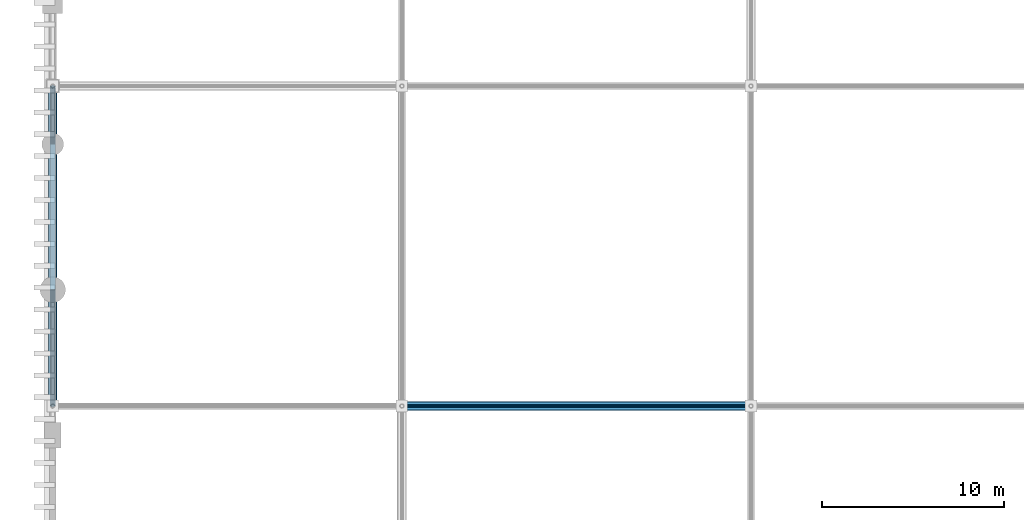
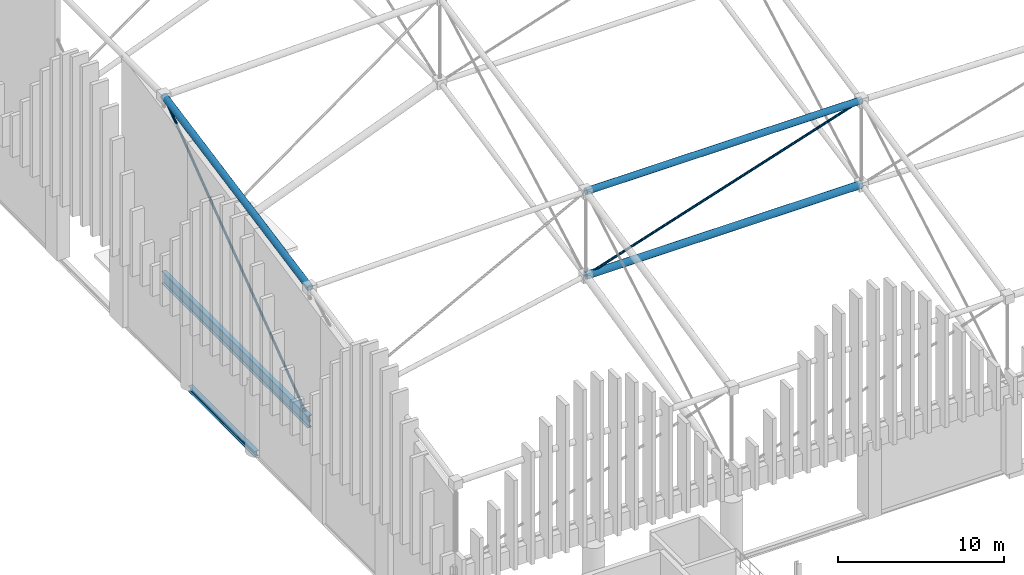
# One storey, part 50 of 193: 5 members, 2 beams.
"""IFC4 building model written with IfcOpenShell, lengths in metres."""

from ifc_helpers import new_model, si_unit, direction, frame, origin, origin_2d, place, context, subcontext, project, spatial, hollow_circle, i_section, extrude, material, material_profile, profile_set, type_object, element, save


model = new_model("IFC4")

# Units and contexts
model_context = context("Model", 3, precision=1e-05, world=origin(), true_north=direction((0.0, 1.0)))
body_context = subcontext(model_context, "Body", "Model", "MODEL_VIEW")
ifc_project = project(units=[si_unit("LENGTHUNIT", "METRE"), si_unit("AREAUNIT", "SQUARE_METRE"), si_unit("VOLUMEUNIT", "CUBIC_METRE"), si_unit("PLANEANGLEUNIT", "RADIAN"), si_unit("MASSUNIT", "GRAM", prefix="KILO")], contexts=[model_context])

# Site, building, storey
site_placement = place(None, origin())
site = spatial("IfcSite", under=ifc_project, at=site_placement, CompositionType="ELEMENT")
building_placement = place(site_placement, origin())
building = spatial("IfcBuilding", under=site, at=building_placement, Name="Danafjord Basin Convention Centre", CompositionType="ELEMENT")
storey_placement = place(building_placement, frame((0.0, 0.0, 11.39990234375)))
storey = spatial("IfcBuildingStorey", under=building, at=storey_placement, Name="L02", CompositionType="ELEMENT", Elevation=11.39990234375)

# Beams
ifc_material = material(Name="Steel S355", Category="steel")
ifc_material_profile_1 = material_profile(ifc_material, i_section(OverallWidth=0.300048828125, OverallDepth=0.89990234375, WebThickness=0.0185546875, FlangeThickness=0.034912109375, FilletRadius=0.030029296875, at=origin_2d()), Name="HEB 900")
ifc_profile_set_1 = profile_set([ifc_material_profile_1], Name="Steel S355")
beam_type_1 = type_object("IfcBeamType", Name="BEAM-BM-HEB900", PredefinedType="BEAM", material=ifc_profile_set_1)
beam_1_placement = place(storey_placement, frame((0.0, 73.60009765625, 6.050048828125), z_axis=(0.0, 1.0, 0.0), x_axis=(-1.0, 0.0, 0.0)))
element("IfcBeam", 1, at=beam_1_placement, inside=storey, type_object=beam_type_1, Name="V1 space-frame perimeter ring girder", PredefinedType="BEAM", context=body_context, shape_type="SweptSolid", body=[
    extrude(i_section(OverallWidth=0.300048828125, OverallDepth=0.89990234375, WebThickness=0.0185546875, FlangeThickness=0.034912109375, FilletRadius=0.030029296875, at=origin_2d()), origin(), (0.0, 0.0, 1.0), 17.599853515625),
])
ifc_material_profile_2 = material_profile(ifc_material, i_section(OverallWidth=0.300048828125, OverallDepth=0.39990234375, WebThickness=0.013427734375, FlangeThickness=0.02392578125, FilletRadius=0.027099609375, at=origin_2d()), Name="HEB 400")
ifc_profile_set_2 = profile_set([ifc_material_profile_2], Name="Steel S355")
beam_type_2 = type_object("IfcBeamType", Name="BEAM-SP-HEB400", PredefinedType="SPANDREL", material=ifc_profile_set_2)
beam_2_placement = place(storey_placement, frame((0.0, 80.0, -0.199951171875), z_axis=(0.0, 1.0, 0.0), x_axis=(-1.0, 0.0, 0.0)))
element("IfcBeam", 2, at=beam_2_placement, inside=storey, type_object=beam_type_2, Name="L02 transverse girder SP-HEB400", PredefinedType="SPANDREL", context=body_context, shape_type="SweptSolid", body=[
    extrude(i_section(OverallWidth=0.300048828125, OverallDepth=0.39990234375, WebThickness=0.013427734375, FlangeThickness=0.02392578125, FilletRadius=0.027099609375, at=origin_2d()), origin(), (0.0, 0.0, 1.0), 8.0),
])

# Members
ifc_material_profile_3 = material_profile(ifc_material, hollow_circle(Radius=0.228515625, WallThickness=0.02001953125, at=origin_2d()), Name="CHS 457.0x20.0")
ifc_profile_set_3 = profile_set([ifc_material_profile_3], Name="Steel S355")
member_type_1 = type_object("IfcMemberType", Name="MEM-CH-CHS457", PredefinedType="CHORD", material=ifc_profile_set_3)
member_1_placement = place(storey_placement, frame((0.0, 73.60009765625, 15.910888671875), z_axis=(0.0, 0.981326851087, 0.192347631481), x_axis=(-1.0, 0.0, 0.0)))
element("IfcMember", 3, at=member_1_placement, inside=storey, type_object=member_type_1, Name="V1 roof truss transverse top chord", PredefinedType="CHORD", context=body_context, shape_type="SweptSolid", body=[
    extrude(hollow_circle(Radius=0.228515625, WallThickness=0.02001953125, at=origin_2d()), origin(), (0.0, 0.0, 1.0), 17.934814453125),
])
member_2_placement = place(storey_placement, frame((19.199951171875, 73.60009765625, 16.27099609375), z_axis=(1.0, 0.0, 0.0), x_axis=(0.0, 1.0, 0.0)))
element("IfcMember", 4, at=member_2_placement, inside=storey, type_object=member_type_1, Name="V1 roof truss longitudinal top chord", PredefinedType="CHORD", context=body_context, shape_type="SweptSolid", body=[
    extrude(hollow_circle(Radius=0.228515625, WallThickness=0.02001953125, at=origin_2d()), origin(), (0.0, 0.0, 1.0), 19.199951171875),
])
ifc_material_profile_4 = material_profile(ifc_material, hollow_circle(Radius=0.25390625, WallThickness=0.02490234375, at=origin_2d()), Name="CHS 508.0x25.0")
ifc_profile_set_4 = profile_set([ifc_material_profile_4], Name="Steel S355")
member_type_2 = type_object("IfcMemberType", Name="MEM-CH-CHS508", PredefinedType="CHORD", material=ifc_profile_set_4)
member_3_placement = place(storey_placement, frame((19.199951171875, 73.60009765625, 10.07080078125), z_axis=(1.0, 0.0, 0.0), x_axis=(0.0, 1.0, 0.0)))
element("IfcMember", 5, at=member_3_placement, inside=storey, type_object=member_type_2, Name="V1 roof truss longitudinal bottom chord", PredefinedType="CHORD", context=body_context, shape_type="SweptSolid", body=[
    extrude(hollow_circle(Radius=0.25390625, WallThickness=0.02490234375, at=origin_2d()), origin(), (0.0, 0.0, 1.0), 19.199951171875),
])
ifc_material_profile_5 = material_profile(ifc_material, hollow_circle(Radius=0.084228515625, WallThickness=0.008056640625, at=origin_2d()), Name="CHS 168.3x8.0")
ifc_profile_set_5 = profile_set([ifc_material_profile_5], Name="Steel S355")
member_type_3 = type_object("IfcMemberType", Name="MEM-WB-CHS168", PredefinedType="MEMBER", material=ifc_profile_set_5)
member_4_placement = place(storey_placement, frame((0.0, 73.60009765625, 6.050048828125), z_axis=(0.0, 0.797586497106, 0.603204591855), x_axis=(-1.0, 0.0, 0.0)))
element("IfcMember", 6, at=member_4_placement, inside=storey, type_object=member_type_3, Name="V1 space-frame transverse web", PredefinedType="MEMBER", context=body_context, shape_type="SweptSolid", body=[
    extrude(hollow_circle(Radius=0.084228515625, WallThickness=0.008056640625, at=origin_2d()), origin(), (0.0, 0.0, 1.0), 22.06640625),
])
member_5_placement = place(storey_placement, frame((19.199951171875, 73.60009765625, 10.07080078125), z_axis=(0.951612086859, 0.0, 0.307301864856), x_axis=(0.0, 1.0, 0.0)))
element("IfcMember", 7, at=member_5_placement, inside=storey, type_object=member_type_3, Name="V1 space-frame longitudinal web", PredefinedType="MEMBER", context=body_context, shape_type="SweptSolid", body=[
    extrude(hollow_circle(Radius=0.084228515625, WallThickness=0.008056640625, at=origin_2d()), origin(), (0.0, 0.0, 1.0), 20.17626953125),
])

save(model, "model.ifc")
